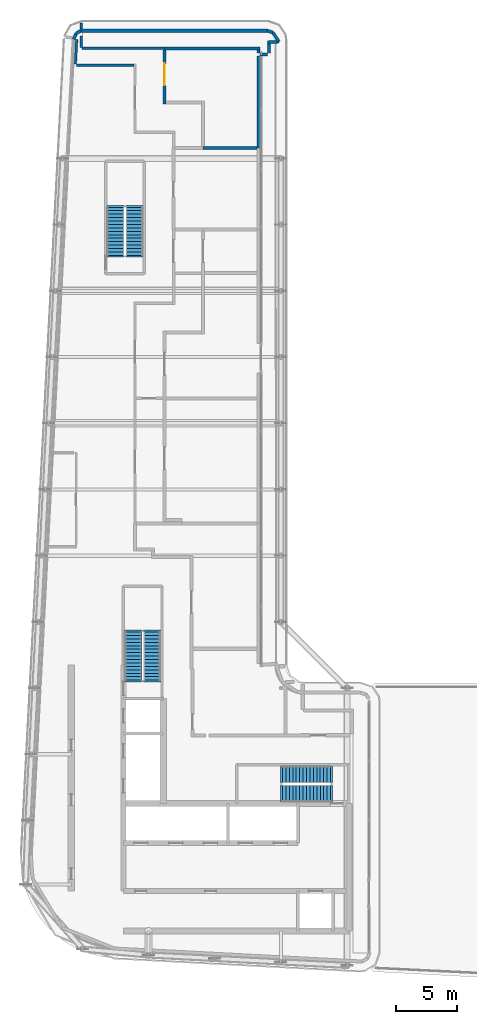
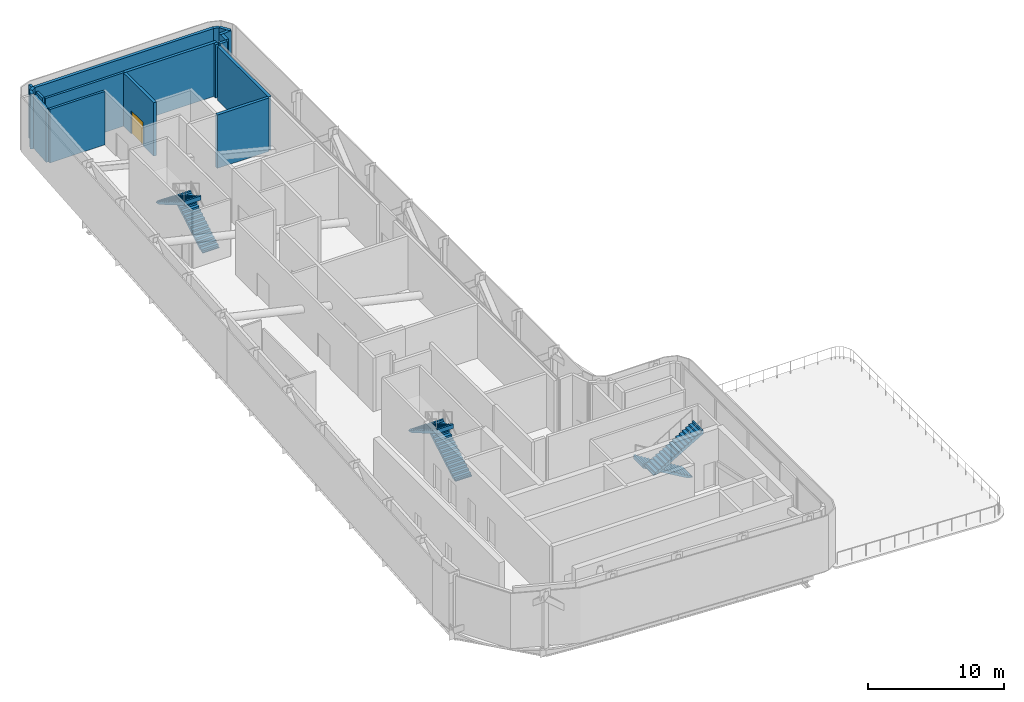
# One storey, part 13 of 18: 18 walls, 6 stair flights, 1 door, 1 opening, 3 elements without a shape of their own.
"""IFC4 building model written with IfcOpenShell, lengths in metres."""

from ifc_helpers import new_model, si_unit, direction, frame, frame_2d, origin, place, context, subcontext, project, spatial, polyline, rectangle, outline, extrude, source, transform, mapped, material, layer, layer_set, type_object, element, fill, aggregate, save


model = new_model("IFC4")

# Units and contexts
model_context = context("Model", 3, precision=1e-05, world=origin(), true_north=direction((0.0, 1.0)))
body_context = subcontext(model_context, "Body", "Model", "MODEL_VIEW")
ifc_project = project(units=[si_unit("LENGTHUNIT", "METRE"), si_unit("AREAUNIT", "SQUARE_METRE"), si_unit("VOLUMEUNIT", "CUBIC_METRE"), si_unit("PLANEANGLEUNIT", "RADIAN"), si_unit("MASSUNIT", "GRAM", prefix="KILO")], contexts=[model_context])

# Site, building, storey
site_placement = place(None, origin())
site = spatial("IfcSite", under=ifc_project, at=site_placement, CompositionType="ELEMENT")
building_placement = place(site_placement, origin())
building = spatial("IfcBuilding", under=site, at=building_placement, Name="Kheshtan School and Residences Tower", CompositionType="ELEMENT")
storey_placement = place(building_placement, frame((0.0, 0.0, 333.199951171875)))
storey = spatial("IfcBuildingStorey", under=building, at=storey_placement, Name="L78", CompositionType="ELEMENT", Elevation=333.199951171875)

# Walls
ifc_material_1 = material(Name="Gypsum board on steel studs with fire boards", Category="steel")
ifc_layer_1 = layer(ifc_material_1, 0.199951171875)
ifc_layer_set_1 = layer_set([ifc_layer_1], Name="Corridor wall 200")
wall_type_1 = type_object("IfcWallType", Name="Corridor wall 200", PredefinedType="PARTITIONING", material=ifc_layer_set_1)
wall_1_placement = place(storey_placement, frame((30.8359375, 96.5, 0.0), z_axis=(0.0, 0.0, 1.0), x_axis=(0.052830433288, 0.99860349755, 0.0)))
element("IfcWall", 1, at=wall_1_placement, inside=storey, type_object=wall_type_1, Name="Partition L78-002", PredefinedType="PARTITIONING", context=body_context, shape_type="SweptSolid", body=[
    extrude(rectangle(XDim=2.02880859375, YDim=0.199951171875, at=frame_2d((1.014404296875, 0.0))), origin(), (0.0, 0.0, 1.0), 4.800048828125),
])
wall_2_placement = place(storey_placement, frame((30.931884765625, 96.39990234375, 0.0), z_axis=(0.0, 0.0, 1.0), x_axis=(1.0, 0.0, 0.0)))
element("IfcWall", 2, at=wall_2_placement, inside=storey, type_object=wall_type_1, Name="Partition L78-003", PredefinedType="PARTITIONING", context=body_context, shape_type="SweptSolid", body=[
    extrude(rectangle(XDim=4.668212890625, YDim=0.199951171875, at=frame_2d((2.333984375, 0.0))), origin(), (0.0, 0.0, 1.0), 4.800048828125),
])
wall_3_placement = place(storey_placement, frame((31.302978515625, 97.85107421875, 0.0), z_axis=(0.0, 0.0, 1.0), x_axis=(0.0, 1.0, 0.0)))
element("IfcWall", 3, at=wall_3_placement, inside=storey, type_object=wall_type_1, Name="Partition L78-004", PredefinedType="PARTITIONING", context=body_context, shape_type="SweptSolid", body=[
    extrude(rectangle(XDim=0.948974609375, YDim=0.199951171875, at=frame_2d((0.474609375, 0.0))), origin(), (0.0, 0.0, 1.0), 4.800048828125),
])
wall_4_placement = place(storey_placement, frame((31.302978515625, 99.34912109375, 0.0), z_axis=(0.0, 0.0, 1.0), x_axis=(0.0, 1.0, 0.0)))
element("IfcWall", 4, at=wall_4_placement, inside=storey, type_object=wall_type_1, Name="Partition L78-005", PredefinedType="PARTITIONING", context=body_context, shape_type="SweptSolid", body=[
    extrude(rectangle(XDim=0.52197265625, YDim=0.199951171875, at=frame_2d((0.260986328125, 0.0))), origin(), (0.0, 0.0, 1.0), 4.800048828125),
])
wall_5_placement = place(storey_placement, frame((31.3740234375, 97.780029296875, 0.0), z_axis=(0.0, 0.0, 1.0), x_axis=(1.0, 0.0, 0.0)))
element("IfcWall", 5, at=wall_5_placement, inside=storey, type_object=wall_type_1, Name="Partition L78-006", PredefinedType="PARTITIONING", context=body_context, shape_type="SweptSolid", body=[
    extrude(rectangle(XDim=6.72607421875, YDim=0.199951171875, at=frame_2d((3.363037109375, 0.0))), origin(), (0.0, 0.0, 1.0), 4.800048828125),
])
ifc_material_2 = material(Name="Concrete C40/50 with ceramic cladding and mineral wool insulation", Category="concrete")
ifc_layer_2 = layer(ifc_material_2, 0.25)
ifc_layer_set_2 = layer_set([ifc_layer_2], Name="External wall 250 ceramic clad")
wall_type_2 = type_object("IfcWallType", Name="External wall 250 ceramic clad", PredefinedType="SOLIDWALL", material=ifc_layer_set_2)
wall_6_placement = place(storey_placement, frame((30.697998046875, 98.528076171875, 0.0), z_axis=(0.0, 0.0, 1.0), x_axis=(0.370881773365, 0.928680090336, 0.0)))
element("IfcWall", 6, at=wall_6_placement, inside=storey, type_object=wall_type_2, Name="External wall L78 11", PredefinedType="SOLIDWALL", context=body_context, shape_type="SweptSolid", body=[
    extrude(rectangle(XDim=0.496337890625, YDim=0.25, at=frame_2d((0.248046875, 0.0))), origin(), (0.0, 0.0, 1.0), 4.949951171875),
])
wall_7_placement = place(storey_placement, frame((30.882080078125, 98.989013671875, 0.0), z_axis=(0.0, 0.0, 1.0), x_axis=(0.851899959866, 0.523704552568, 0.0)))
element("IfcWall", 7, at=wall_7_placement, inside=storey, type_object=wall_type_2, Name="External wall L78 12", PredefinedType="SOLIDWALL", context=body_context, shape_type="SweptSolid", body=[
    extrude(rectangle(XDim=0.45068359375, YDim=0.25, at=frame_2d((0.225341796875, 0.0))), origin(), (0.0, 0.0, 1.0), 4.949951171875),
])
wall_8_placement = place(storey_placement, frame((31.26611328125, 99.22509765625, 0.0), z_axis=(0.0, 0.0, 1.0), x_axis=(1.0, 0.0, 0.0)))
element("IfcWall", 8, at=wall_8_placement, inside=storey, type_object=wall_type_2, Name="External wall L78 13", PredefinedType="SOLIDWALL", context=body_context, shape_type="SweptSolid", body=[
    extrude(rectangle(XDim=15.222900390625, YDim=0.25, at=frame_2d((7.611328125, 0.0))), origin(), (0.0, 0.0, 1.0), 4.949951171875),
])
wall_9_placement = place(storey_placement, frame((46.489013671875, 99.22509765625, 0.0), z_axis=(0.0, 0.0, 1.0), x_axis=(0.952979365451, -0.303035194367, 0.0)))
element("IfcWall", 9, at=wall_9_placement, inside=storey, type_object=wall_type_2, Name="External wall L78 14", PredefinedType="SOLIDWALL", context=body_context, shape_type="SweptSolid", body=[
    extrude(rectangle(XDim=0.478515625, YDim=0.25, at=frame_2d((0.2392578125, 0.0))), origin(), (0.0, 0.0, 1.0), 4.949951171875),
])
wall_10_placement = place(storey_placement, frame((46.945068359375, 99.080078125, 0.0), z_axis=(0.0, 0.0, 1.0), x_axis=(0.555015470263, -0.831840025347, 0.0)))
element("IfcWall", 10, at=wall_10_placement, inside=storey, type_object=wall_type_2, Name="External wall L78 15", PredefinedType="SOLIDWALL", context=body_context, shape_type="SweptSolid", body=[
    extrude(rectangle(XDim=0.893310546875, YDim=0.25, at=frame_2d((0.44677734375, 0.0))), origin(), (0.0, 0.0, 1.0), 4.949951171875),
])
wall_11_placement = place(storey_placement, frame((47.44091796875, 98.3369140625, 0.0), z_axis=(0.0, 0.0, 1.0), x_axis=(-0.997866442629, -0.065288304281, 0.0)))
element("IfcWall", 11, at=wall_11_placement, inside=storey, type_object=wall_type_2, Name="External wall L78 16", PredefinedType="SOLIDWALL", context=body_context, shape_type="SweptSolid", body=[
    extrude(rectangle(XDim=0.934814453125, YDim=0.25, at=frame_2d((0.46728515625, 0.0))), origin(), (0.0, 0.0, 1.0), 4.949951171875),
])
wall_12_placement = place(storey_placement, frame((46.625, 98.40087890625, 0.0), z_axis=(0.0, 0.0, 1.0), x_axis=(0.0, -1.0, 0.0)))
element("IfcWall", 12, at=wall_12_placement, inside=storey, type_object=wall_type_2, Name="External wall L78 17", PredefinedType="SOLIDWALL", context=body_context, shape_type="SweptSolid", body=[
    extrude(rectangle(XDim=1.0009765625, YDim=0.25, at=frame_2d((0.50048828125, 0.0))), origin(), (0.0, 0.0, 1.0), 4.949951171875),
])
wall_13_placement = place(storey_placement, frame((46.5, 97.27490234375, 0.0), z_axis=(0.0, 0.0, 1.0), x_axis=(-1.0, 0.0, 0.0)))
element("IfcWall", 13, at=wall_13_placement, inside=storey, type_object=wall_type_2, Name="External wall L78 18", PredefinedType="SOLIDWALL", context=body_context, shape_type="SweptSolid", body=[
    extrude(rectangle(XDim=0.60009765625, YDim=0.25, at=frame_2d((0.300048828125, 0.0))), origin(), (0.0, 0.0, 1.0), 4.949951171875),
])

# Wall, opening, door
ifc_material_3 = material(Name="Fire-board and steel stud wall with mineral wool", Category="steel")
ifc_layer_3 = layer(ifc_material_3, 0.25)
ifc_layer_set_3 = layer_set([ifc_layer_3], Name="Refuge compartment wall 250")
wall_type_3 = type_object("IfcWallType", Name="Refuge compartment wall 250", PredefinedType="PARTITIONING", material=ifc_layer_set_3)
wall_14_placement = place(storey_placement, frame((38.10009765625, 93.235107421875, 0.0), z_axis=(0.0, 0.0, 1.0), x_axis=(0.0, 1.0, 0.0)))
wall_14 = element("IfcWall", 14, at=wall_14_placement, inside=storey, type_object=wall_type_3, Name="Partition L78-018", PredefinedType="PARTITIONING", context=body_context, shape_type="SweptSolid", body=[
    extrude(rectangle(XDim=4.419921875, YDim=0.25, at=frame_2d((2.2099609375, 0.0))), origin(), (0.0, 0.0, 1.0), 4.800048828125),
])
opening_placement = place(wall_14_placement, frame((1.52490234375, 0.0, 0.0)))
opening = element("IfcOpeningElement", 15, at=opening_placement, cuts=wall_14, Name="Opening D78-006", PredefinedType="OPENING", context=body_context, shape_type="SweptSolid", body=[
    extrude(rectangle(XDim=1.800048828125, YDim=2.10009765625, at=frame_2d((0.89990234375, 1.050048828125))), frame((0.0, 0.135009765625, 0.0), z_axis=(0.0, -1.0, 0.0), x_axis=(1.0, 0.0, 0.0)), (0.0, 0.0, 1.0), 0.27001953125),
])
ifc_material_4 = material(Name="Steel-framed fire-resisting door leaf", Category="steel")
door_type = type_object("IfcDoorType", Name="Fire double door FD120 1800 x 2100", OperationType="DOUBLE_DOOR_SINGLE_SWING", PredefinedType="DOOR", material=ifc_material_4)
shared_shape = source(origin(), body_context, "Body", "SweptSolid", [
    extrude(rectangle(XDim=1.800048828125, YDim=2.10009765625, at=frame_2d((0.89990234375, 1.050048828125))), frame((0.0, 0.02490234375, 0.0), z_axis=(0.0, -1.0, 0.0), x_axis=(1.0, 0.0, 0.0)), (0.0, 0.0, 1.0), 0.050048828125),
])
door_placement = place(opening_placement, origin())
door = element("IfcDoor", 16, at=door_placement, inside=storey, type_object=door_type, Name="Door D78-006", OperationType="DOUBLE_DOOR_SINGLE_SWING", OverallHeight=2.10009765625, OverallWidth=1.800048828125, PredefinedType="DOOR", context=body_context, shape_type="MappedRepresentation", body=[
    mapped(shared_shape, transform((0.0, 0.0, 0.0), x_axis=(1.0, 0.0, 0.0), y_axis=(0.0, 1.0, 0.0), z_axis=(0.0, 0.0, 1.0), scale=1.0)),
])
fill(opening, door)

# Walls
wall_15_placement = place(storey_placement, frame((38.10009765625, 97.780029296875, 0.0), z_axis=(0.0, 0.0, 1.0), x_axis=(1.0, 0.0, 0.0)))
element("IfcWall", 17, at=wall_15_placement, inside=storey, type_object=wall_type_3, Name="Partition L78-019", PredefinedType="PARTITIONING", context=body_context, shape_type="SweptSolid", body=[
    extrude(rectangle(XDim=7.804931640625, YDim=0.25, at=frame_2d((3.90234375, 0.0))), origin(), (0.0, 0.0, 1.0), 4.800048828125),
])
wall_16_placement = place(storey_placement, frame((41.25, 89.658935546875, 0.0), z_axis=(0.0, 0.0, 1.0), x_axis=(1.0, 0.0, 0.0)))
element("IfcWall", 18, at=wall_16_placement, inside=storey, type_object=wall_type_3, Name="Partition L78-037", PredefinedType="PARTITIONING", context=body_context, shape_type="SweptSolid", body=[
    extrude(rectangle(XDim=4.405029296875, YDim=0.25, at=frame_2d((2.20263671875, 0.0))), origin(), (0.0, 0.0, 1.0), 4.800048828125),
])
wall_17_placement = place(storey_placement, frame((45.780029296875, 89.658935546875, 0.0), z_axis=(0.0, 0.0, 1.0), x_axis=(0.0, 1.0, 0.0)))
element("IfcWall", 19, at=wall_17_placement, inside=storey, type_object=wall_type_3, Name="Partition L78-045", PredefinedType="PARTITIONING", context=body_context, shape_type="SweptSolid", body=[
    extrude(rectangle(XDim=7.491943359375, YDim=0.25, at=frame_2d((3.74609375, 0.0))), origin(), (0.0, 0.0, 1.0), 4.800048828125),
])
wall_18_placement = place(storey_placement, frame((45.780029296875, 97.39892578125, 0.0), z_axis=(0.0, 0.0, 1.0), x_axis=(0.0, 1.0, 0.0)))
element("IfcWall", 20, at=wall_18_placement, inside=storey, type_object=wall_type_3, Name="Partition L78-046", PredefinedType="PARTITIONING", context=body_context, shape_type="SweptSolid", body=[
    extrude(rectangle(XDim=0.256103515625, YDim=0.25, at=frame_2d((0.1279296875, 0.0))), origin(), (0.0, 0.0, 1.0), 4.800048828125),
])

# Stair, stair flights
ifc_material_5 = material(Name="Concrete C40/50", Category="concrete")
stair_type = type_object("IfcStairType", Name="Exit stair, half-turn", PredefinedType="HALF_TURN_STAIR", material=ifc_material_5)
stair_1_placement = place(storey_placement, origin())
stair_1 = element("IfcStair", 21, at=stair_1_placement, inside=storey, type_object=stair_type, Name="L78 Protected Exit Stair ST1", PredefinedType="HALF_TURN_STAIR")
ifc_layer_4 = layer(ifc_material_5, 0.14990234375)
ifc_layer_set_4 = layer_set([ifc_layer_4], Name="Stair flight 1400 Concrete C40/50")
stair_flight_type = type_object("IfcStairFlightType", Name="Stair flight 1400 Concrete C40/50", PredefinedType="STRAIGHT", material=ifc_layer_set_4)
stair_flight_1_placement = place(storey_placement, frame((51.64990234375, 38.550048828125, 0.0), z_axis=(0.0, 0.0, 1.0), x_axis=(-1.0, 0.0, 0.0)))
stair_flight_1 = element("IfcStairFlight", 22, at=stair_flight_1_placement, type_object=stair_flight_type, Name="ST1 flight 1", NumberOfRisers=15, NumberOfTreads=14, PredefinedType="STRAIGHT", RiserHeight=0.17, TreadLength=0.28, context=body_context, shape_type="SweptSolid", body=[
    extrude(outline(polyline([(-0.14990234375, -0.10009765625), (-0.14990234375, 0.0), (0.0, 0.0), (0.0, 0.169921875), (0.280029296875, 0.169921875), (0.280029296875, 0.340087890625), (0.56005859375, 0.340087890625), (0.56005859375, 0.510009765625), (0.840087890625, 0.510009765625), (0.840087890625, 0.679931640625), (1.1201171875, 0.679931640625), (1.1201171875, 0.85009765625), (1.39990234375, 0.85009765625), (1.39990234375, 1.02001953125), (1.679931640625, 1.02001953125), (1.679931640625, 1.18994140625), (1.9599609375, 1.18994140625), (1.9599609375, 1.360107421875), (2.239990234375, 1.360107421875), (2.239990234375, 1.530029296875), (2.52001953125, 1.530029296875), (2.52001953125, 1.699951171875), (2.800048828125, 1.699951171875), (2.800048828125, 1.8701171875), (3.080078125, 1.8701171875), (3.080078125, 2.0400390625), (3.360107421875, 2.0400390625), (3.360107421875, 2.2099609375), (3.639892578125, 2.2099609375), (3.639892578125, 2.3798828125), (3.919921875, 2.3798828125), (3.919921875, 2.550048828125), (3.919921875, 2.570068359375), (4.06982421875, 2.570068359375), (4.06982421875, 2.20458984375), (0.288818359375, 0.0), (-0.14990234375, -0.10009765625)])), frame((0.0, 0.699951171875, 0.0), z_axis=(0.0, -1.0, 0.0), x_axis=(1.0, 0.0, 0.0)), (0.0, 0.0, 1.0), 1.39990234375),
])
stair_flight_2_placement = place(storey_placement, frame((47.72998046875, 37.0, 2.550048828125), z_axis=(0.0, 0.0, 1.0), x_axis=(1.0, 0.0, 0.0)))
stair_flight_2 = element("IfcStairFlight", 23, at=stair_flight_2_placement, type_object=stair_flight_type, Name="ST1 flight 2", NumberOfRisers=15, NumberOfTreads=14, PredefinedType="STRAIGHT", RiserHeight=0.17, TreadLength=0.28, context=body_context, shape_type="SweptSolid", body=[
    extrude(outline(polyline([(-0.14990234375, -0.10009765625), (-0.14990234375, 0.0), (0.0, 0.0), (0.0, 0.169921875), (0.280029296875, 0.169921875), (0.280029296875, 0.340087890625), (0.56005859375, 0.340087890625), (0.56005859375, 0.510009765625), (0.840087890625, 0.510009765625), (0.840087890625, 0.679931640625), (1.1201171875, 0.679931640625), (1.1201171875, 0.85009765625), (1.39990234375, 0.85009765625), (1.39990234375, 1.02001953125), (1.679931640625, 1.02001953125), (1.679931640625, 1.18994140625), (1.9599609375, 1.18994140625), (1.9599609375, 1.360107421875), (2.239990234375, 1.360107421875), (2.239990234375, 1.530029296875), (2.52001953125, 1.530029296875), (2.52001953125, 1.699951171875), (2.800048828125, 1.699951171875), (2.800048828125, 1.8701171875), (3.080078125, 1.8701171875), (3.080078125, 2.0400390625), (3.360107421875, 2.0400390625), (3.360107421875, 2.2099609375), (3.639892578125, 2.2099609375), (3.639892578125, 2.3798828125), (3.919921875, 2.3798828125), (3.919921875, 2.550048828125), (3.919921875, 2.570068359375), (4.06982421875, 2.570068359375), (4.06982421875, 2.20458984375), (0.288818359375, 0.0), (-0.14990234375, -0.10009765625)])), frame((0.0, 0.699951171875, 0.0), z_axis=(0.0, -1.0, 0.0), x_axis=(1.0, 0.0, 0.0)), (0.0, 0.0, 1.0), 1.39990234375),
])
aggregate(stair_1, [stair_flight_1, stair_flight_2])

stair_2_placement = place(storey_placement, origin())
stair_2 = element("IfcStair", 24, at=stair_2_placement, inside=storey, type_object=stair_type, Name="L78 Protected Exit Stair ST2", PredefinedType="HALF_TURN_STAIR")
stair_flight_3_placement = place(storey_placement, frame((37.10009765625, 46.25, 0.0), z_axis=(0.0, 0.0, 1.0), x_axis=(0.0, 1.0, 0.0)))
stair_flight_3 = element("IfcStairFlight", 25, at=stair_flight_3_placement, type_object=stair_flight_type, Name="ST2 flight 1", NumberOfRisers=15, NumberOfTreads=14, PredefinedType="STRAIGHT", RiserHeight=0.17, TreadLength=0.28, context=body_context, shape_type="SweptSolid", body=[
    extrude(outline(polyline([(-0.14990234375, -0.10009765625), (-0.14990234375, 0.0), (0.0, 0.0), (0.0, 0.169921875), (0.280029296875, 0.169921875), (0.280029296875, 0.340087890625), (0.56005859375, 0.340087890625), (0.56005859375, 0.510009765625), (0.840087890625, 0.510009765625), (0.840087890625, 0.679931640625), (1.1201171875, 0.679931640625), (1.1201171875, 0.85009765625), (1.39990234375, 0.85009765625), (1.39990234375, 1.02001953125), (1.679931640625, 1.02001953125), (1.679931640625, 1.18994140625), (1.9599609375, 1.18994140625), (1.9599609375, 1.360107421875), (2.239990234375, 1.360107421875), (2.239990234375, 1.530029296875), (2.52001953125, 1.530029296875), (2.52001953125, 1.699951171875), (2.800048828125, 1.699951171875), (2.800048828125, 1.8701171875), (3.080078125, 1.8701171875), (3.080078125, 2.0400390625), (3.360107421875, 2.0400390625), (3.360107421875, 2.2099609375), (3.639892578125, 2.2099609375), (3.639892578125, 2.3798828125), (3.919921875, 2.3798828125), (3.919921875, 2.550048828125), (3.919921875, 2.570068359375), (4.06982421875, 2.570068359375), (4.06982421875, 2.20458984375), (0.288818359375, 0.0), (-0.14990234375, -0.10009765625)])), frame((0.0, 0.699951171875, 0.0), z_axis=(0.0, -1.0, 0.0), x_axis=(1.0, 0.0, 0.0)), (0.0, 0.0, 1.0), 1.39990234375),
])
stair_flight_4_placement = place(storey_placement, frame((35.550048828125, 50.169921875, 2.550048828125), z_axis=(0.0, 0.0, 1.0), x_axis=(0.0, -1.0, 0.0)))
stair_flight_4 = element("IfcStairFlight", 26, at=stair_flight_4_placement, type_object=stair_flight_type, Name="ST2 flight 2", NumberOfRisers=15, NumberOfTreads=14, PredefinedType="STRAIGHT", RiserHeight=0.17, TreadLength=0.28, context=body_context, shape_type="SweptSolid", body=[
    extrude(outline(polyline([(-0.14990234375, -0.10009765625), (-0.14990234375, 0.0), (0.0, 0.0), (0.0, 0.169921875), (0.280029296875, 0.169921875), (0.280029296875, 0.340087890625), (0.56005859375, 0.340087890625), (0.56005859375, 0.510009765625), (0.840087890625, 0.510009765625), (0.840087890625, 0.679931640625), (1.1201171875, 0.679931640625), (1.1201171875, 0.85009765625), (1.39990234375, 0.85009765625), (1.39990234375, 1.02001953125), (1.679931640625, 1.02001953125), (1.679931640625, 1.18994140625), (1.9599609375, 1.18994140625), (1.9599609375, 1.360107421875), (2.239990234375, 1.360107421875), (2.239990234375, 1.530029296875), (2.52001953125, 1.530029296875), (2.52001953125, 1.699951171875), (2.800048828125, 1.699951171875), (2.800048828125, 1.8701171875), (3.080078125, 1.8701171875), (3.080078125, 2.0400390625), (3.360107421875, 2.0400390625), (3.360107421875, 2.2099609375), (3.639892578125, 2.2099609375), (3.639892578125, 2.3798828125), (3.919921875, 2.3798828125), (3.919921875, 2.550048828125), (3.919921875, 2.570068359375), (4.06982421875, 2.570068359375), (4.06982421875, 2.20458984375), (0.288818359375, 0.0), (-0.14990234375, -0.10009765625)])), frame((0.0, 0.699951171875, 0.0), z_axis=(0.0, -1.0, 0.0), x_axis=(1.0, 0.0, 0.0)), (0.0, 0.0, 1.0), 1.39990234375),
])
aggregate(stair_2, [stair_flight_3, stair_flight_4])

stair_3_placement = place(storey_placement, origin())
stair_3 = element("IfcStair", 27, at=stair_3_placement, inside=storey, type_object=stair_type, Name="L78 Protected Exit Stair ST3", PredefinedType="HALF_TURN_STAIR")
stair_flight_5_placement = place(storey_placement, frame((35.64990234375, 80.89990234375, 0.0), z_axis=(0.0, 0.0, 1.0), x_axis=(0.0, 1.0, 0.0)))
stair_flight_5 = element("IfcStairFlight", 28, at=stair_flight_5_placement, type_object=stair_flight_type, Name="ST3 flight 1", NumberOfRisers=15, NumberOfTreads=14, PredefinedType="STRAIGHT", RiserHeight=0.17, TreadLength=0.28, context=body_context, shape_type="SweptSolid", body=[
    extrude(outline(polyline([(-0.14990234375, -0.10009765625), (-0.14990234375, 0.0), (0.0, 0.0), (0.0, 0.169921875), (0.280029296875, 0.169921875), (0.280029296875, 0.340087890625), (0.56005859375, 0.340087890625), (0.56005859375, 0.510009765625), (0.840087890625, 0.510009765625), (0.840087890625, 0.679931640625), (1.1201171875, 0.679931640625), (1.1201171875, 0.85009765625), (1.39990234375, 0.85009765625), (1.39990234375, 1.02001953125), (1.679931640625, 1.02001953125), (1.679931640625, 1.18994140625), (1.9599609375, 1.18994140625), (1.9599609375, 1.360107421875), (2.239990234375, 1.360107421875), (2.239990234375, 1.530029296875), (2.52001953125, 1.530029296875), (2.52001953125, 1.699951171875), (2.800048828125, 1.699951171875), (2.800048828125, 1.8701171875), (3.080078125, 1.8701171875), (3.080078125, 2.0400390625), (3.360107421875, 2.0400390625), (3.360107421875, 2.2099609375), (3.639892578125, 2.2099609375), (3.639892578125, 2.3798828125), (3.919921875, 2.3798828125), (3.919921875, 2.550048828125), (3.919921875, 2.570068359375), (4.06982421875, 2.570068359375), (4.06982421875, 2.20458984375), (0.288818359375, 0.0), (-0.14990234375, -0.10009765625)])), frame((0.0, 0.699951171875, 0.0), z_axis=(0.0, -1.0, 0.0), x_axis=(1.0, 0.0, 0.0)), (0.0, 0.0, 1.0), 1.39990234375),
])
stair_flight_6_placement = place(storey_placement, frame((34.10009765625, 84.820068359375, 2.550048828125), z_axis=(0.0, 0.0, 1.0), x_axis=(0.0, -1.0, 0.0)))
stair_flight_6 = element("IfcStairFlight", 29, at=stair_flight_6_placement, type_object=stair_flight_type, Name="ST3 flight 2", NumberOfRisers=15, NumberOfTreads=14, PredefinedType="STRAIGHT", RiserHeight=0.17, TreadLength=0.28, context=body_context, shape_type="SweptSolid", body=[
    extrude(outline(polyline([(-0.14990234375, -0.10009765625), (-0.14990234375, 0.0), (0.0, 0.0), (0.0, 0.169921875), (0.280029296875, 0.169921875), (0.280029296875, 0.340087890625), (0.56005859375, 0.340087890625), (0.56005859375, 0.510009765625), (0.840087890625, 0.510009765625), (0.840087890625, 0.679931640625), (1.1201171875, 0.679931640625), (1.1201171875, 0.85009765625), (1.39990234375, 0.85009765625), (1.39990234375, 1.02001953125), (1.679931640625, 1.02001953125), (1.679931640625, 1.18994140625), (1.9599609375, 1.18994140625), (1.9599609375, 1.360107421875), (2.239990234375, 1.360107421875), (2.239990234375, 1.530029296875), (2.52001953125, 1.530029296875), (2.52001953125, 1.699951171875), (2.800048828125, 1.699951171875), (2.800048828125, 1.8701171875), (3.080078125, 1.8701171875), (3.080078125, 2.0400390625), (3.360107421875, 2.0400390625), (3.360107421875, 2.2099609375), (3.639892578125, 2.2099609375), (3.639892578125, 2.3798828125), (3.919921875, 2.3798828125), (3.919921875, 2.550048828125), (3.919921875, 2.570068359375), (4.06982421875, 2.570068359375), (4.06982421875, 2.20458984375), (0.288818359375, 0.0), (-0.14990234375, -0.10009765625)])), frame((0.0, 0.699951171875, 0.0), z_axis=(0.0, -1.0, 0.0), x_axis=(1.0, 0.0, 0.0)), (0.0, 0.0, 1.0), 1.39990234375),
])
aggregate(stair_3, [stair_flight_5, stair_flight_6])

save(model, "model.ifc")
